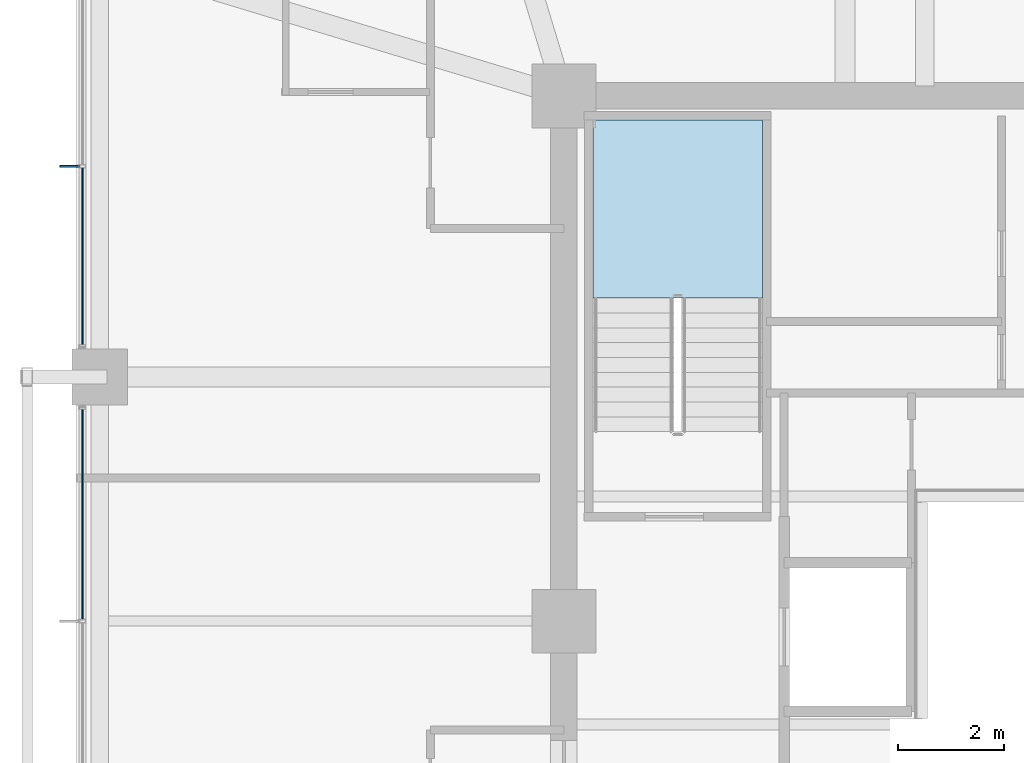
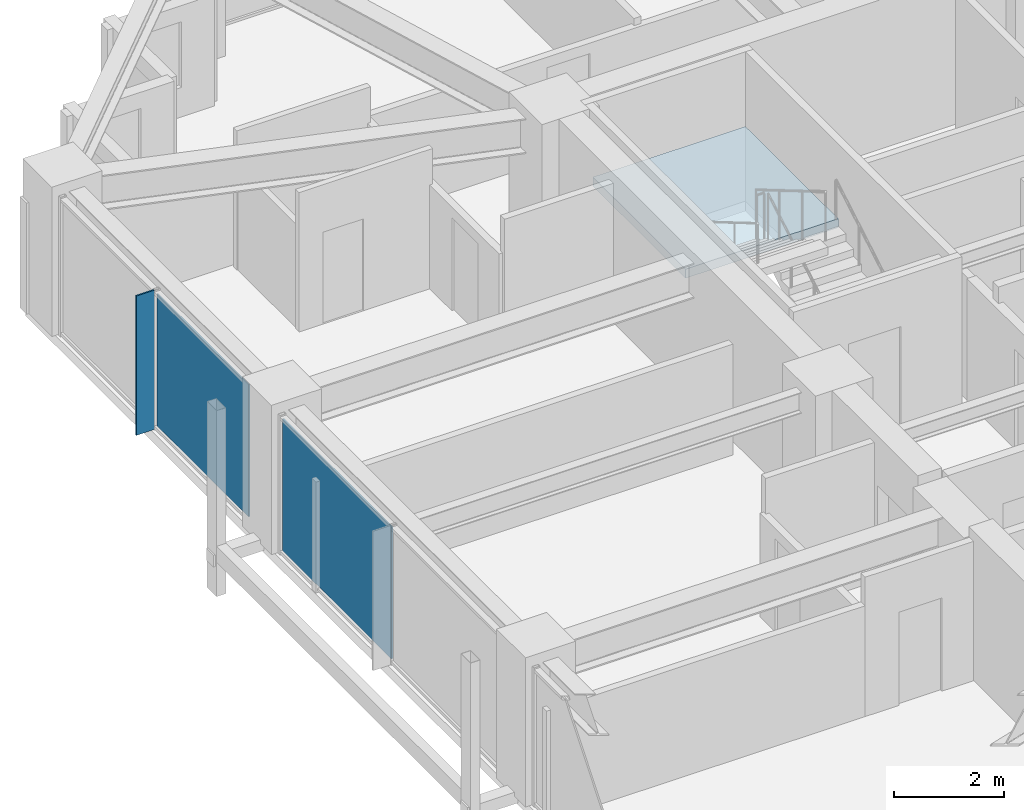
# One storey, part 23 of 34: 3 plates, 1 slab, 3 elements without a shape of their own.
"""IFC4 building model written with IfcOpenShell, lengths in metres."""

from ifc_helpers import new_model, si_unit, direction, frame, origin, origin_2d, place, context, subcontext, project, spatial, polyline, rectangle, outline, extrude, material, layer, layer_set, type_object, element, aggregate, save


model = new_model("IFC4")

# Units and contexts
model_context = context("Model", 3, precision=1e-05, world=origin(), true_north=direction((0.0, 1.0)))
body_context = subcontext(model_context, "Body", "Model", "MODEL_VIEW")
ifc_project = project(units=[si_unit("LENGTHUNIT", "METRE"), si_unit("AREAUNIT", "SQUARE_METRE"), si_unit("VOLUMEUNIT", "CUBIC_METRE"), si_unit("PLANEANGLEUNIT", "RADIAN"), si_unit("MASSUNIT", "GRAM", prefix="KILO")], contexts=[model_context])

# Site, building, storey
site_placement = place(None, origin())
site = spatial("IfcSite", under=ifc_project, at=site_placement, CompositionType="ELEMENT")
building_placement = place(site_placement, origin())
building = spatial("IfcBuilding", under=site, at=building_placement, Name="Kolvaren Belvedere", CompositionType="ELEMENT")
storey_placement = place(building_placement, frame((0.0, 0.0, 111.800048828125)))
storey = spatial("IfcBuildingStorey", under=building, at=storey_placement, Name="L32", CompositionType="ELEMENT", Elevation=111.800048828125)

# Curtain wall, plate
ifc_material_1 = material(Name="Anodised pale-metal aluminium AA 6063-T6", Category="aluminium")
curtain_wall_type = type_object("IfcCurtainWallType", Name="CW-Z3-WAIST", PredefinedType="NOTDEFINED", material=ifc_material_1)
curtain_wall_1_placement = place(storey_placement, origin())
curtain_wall_1 = element("IfcCurtainWall", 1, at=curtain_wall_1_placement, inside=storey, type_object=curtain_wall_type, Name="L32 Unitised Curtain Wall FCW-L32-W-B2", PredefinedType="NOTDEFINED")
ifc_material_2 = material(Name="Low-iron triple insulated glass", Category="glass")
ifc_layer_1 = layer(ifc_material_2, 0.028076171875)
ifc_layer_set_1 = layer_set([ifc_layer_1], Name="Low-iron triple insulated glass")
plate_type_1 = type_object("IfcPlateType", Name="CW-PNL-VIS28", PredefinedType="CURTAIN_PANEL", material=ifc_layer_set_1)
plate_1_placement = place(storey_placement, frame((-18.97998046875, 2.01123046875, 0.080078125), z_axis=(0.0, 0.0, 1.0), x_axis=(0.0, 1.0, 0.0)))
plate_1 = element("IfcPlate", 2, at=plate_1_placement, type_object=plate_type_1, Name="FCW-L32-W-B2 Vision Glazing Panel 2", PredefinedType="CURTAIN_PANEL", context=body_context, shape_type="SweptSolid", body=[
    extrude(rectangle(XDim=3.9423828125, YDim=0.028076171875, at=origin_2d()), origin(), (0.0, 0.0, 1.0), 2.919921875),
])
aggregate(curtain_wall_1, [plate_1])

curtain_wall_2_placement = place(storey_placement, origin())
curtain_wall_2 = element("IfcCurtainWall", 3, at=curtain_wall_2_placement, inside=storey, type_object=curtain_wall_type, Name="L32 Unitised Curtain Wall FCW-L32-W-B3", PredefinedType="NOTDEFINED")
plate_2_placement = place(storey_placement, frame((-18.97998046875, 6.876220703125, 0.080078125), z_axis=(0.0, 0.0, 1.0), x_axis=(0.0, 1.0, 0.0)))
plate_2 = element("IfcPlate", 4, at=plate_2_placement, type_object=plate_type_1, Name="FCW-L32-W-B3 Vision Glazing Panel 1", PredefinedType="CURTAIN_PANEL", context=body_context, shape_type="SweptSolid", body=[
    extrude(rectangle(XDim=3.3173828125, YDim=0.028076171875, at=origin_2d()), origin(), (0.0, 0.0, 1.0), 2.919921875),
])
aggregate(curtain_wall_2, [plate_2])

# Plate
ifc_material_3 = material(Name="Anodised pale-metal aluminium AA 6063-T6", Category="aluminium")
ifc_layer_2 = layer(ifc_material_3, 0.033935546875)
ifc_layer_set_2 = layer_set([ifc_layer_2], Name="Anodised pale-metal aluminium AA 6063-T6")
plate_type_2 = type_object("IfcPlateType", Name="FIN-VERT-380", PredefinedType="USERDEFINED", material=ifc_layer_set_2)
plate_3_placement = place(storey_placement, frame((-19.219970703125, 8.574951171875, 0.0), z_axis=(0.0, 0.0, 1.0), x_axis=(1.0, 0.0, 0.0)))
element("IfcPlate", 5, at=plate_3_placement, inside=storey, type_object=plate_type_2, Name="L32 Pale-Metal Vertical Shading Fin FCW-L32-W-B3-1", ObjectType="VERTICAL FIN", PredefinedType="USERDEFINED", context=body_context, shape_type="SweptSolid", body=[
    extrude(rectangle(XDim=0.3798828125, YDim=0.033935546875, at=origin_2d()), origin(), (0.0, 0.0, 1.0), 3.080078125),
])

# Stair, slab
ifc_material_4 = material(Name="Concrete C50/60", Category="concrete")
stair_type = type_object("IfcStairType", Name="ST-CORE-1520", PredefinedType="HALF_TURN_STAIR", material=ifc_material_4)
stair_placement = place(storey_placement, origin())
stair = element("IfcStair", 6, at=stair_placement, inside=storey, type_object=stair_type, Name="L32 Protected Exit Stair ST-1", PredefinedType="HALF_TURN_STAIR")
ifc_material_5 = material(Name="Concrete C50/60", Category="concrete")
ifc_layer_3 = layer(ifc_material_5, 0.260009765625)
ifc_layer_set_3 = layer_set([ifc_layer_3], Name="Concrete C50/60")
slab_type = type_object("IfcSlabType", Name="SL-LAND-260", PredefinedType="LANDING", material=ifc_layer_set_3)
slab_placement = place(storey_placement, frame((0.0, 0.0, 1.449951171875)))
slab = element("IfcSlab", 7, at=slab_placement, type_object=slab_type, Name="ST-1 landing 1", PredefinedType="LANDING", context=body_context, shape_type="SweptSolid", body=[
    extrude(outline(polyline([(-6.159912109375, 6.090087890625), (-6.159912109375, 9.449951171875), (-9.35009765625, 9.449951171875), (-9.35009765625, 6.090087890625), (-6.159912109375, 6.090087890625)])), origin(), (0.0, 0.0, 1.0), 0.199951171875),
])
aggregate(stair, [slab])

save(model, "model.ifc")
